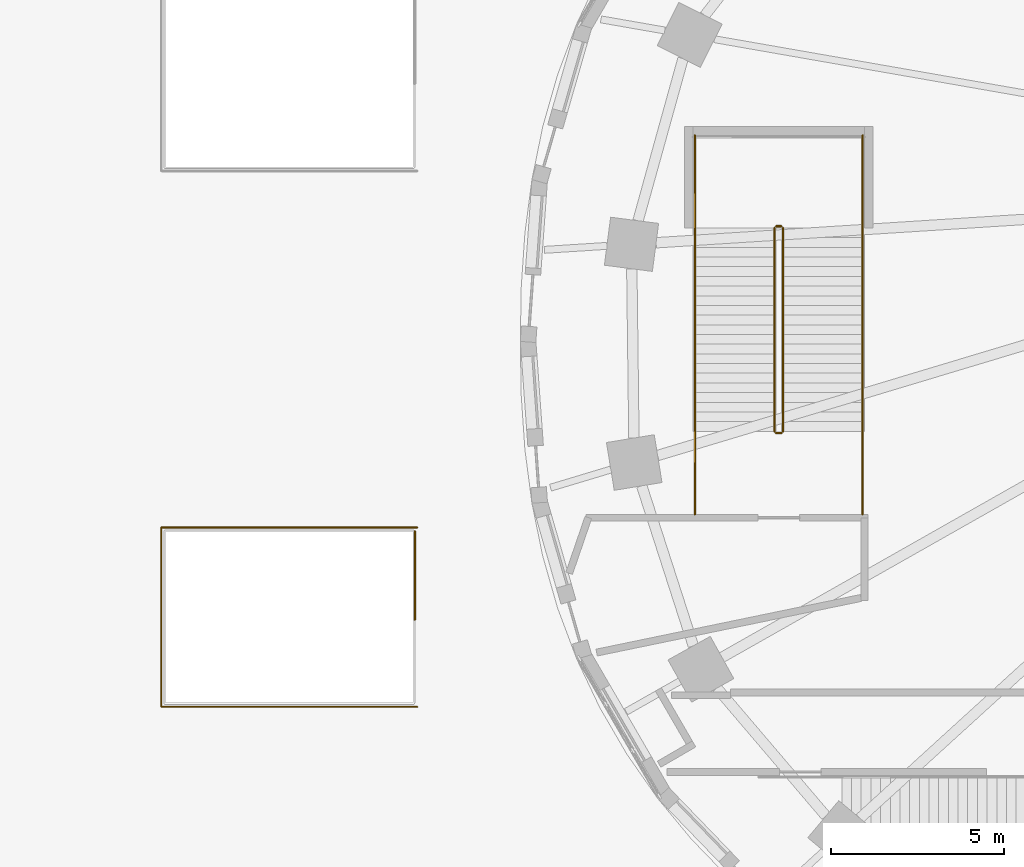
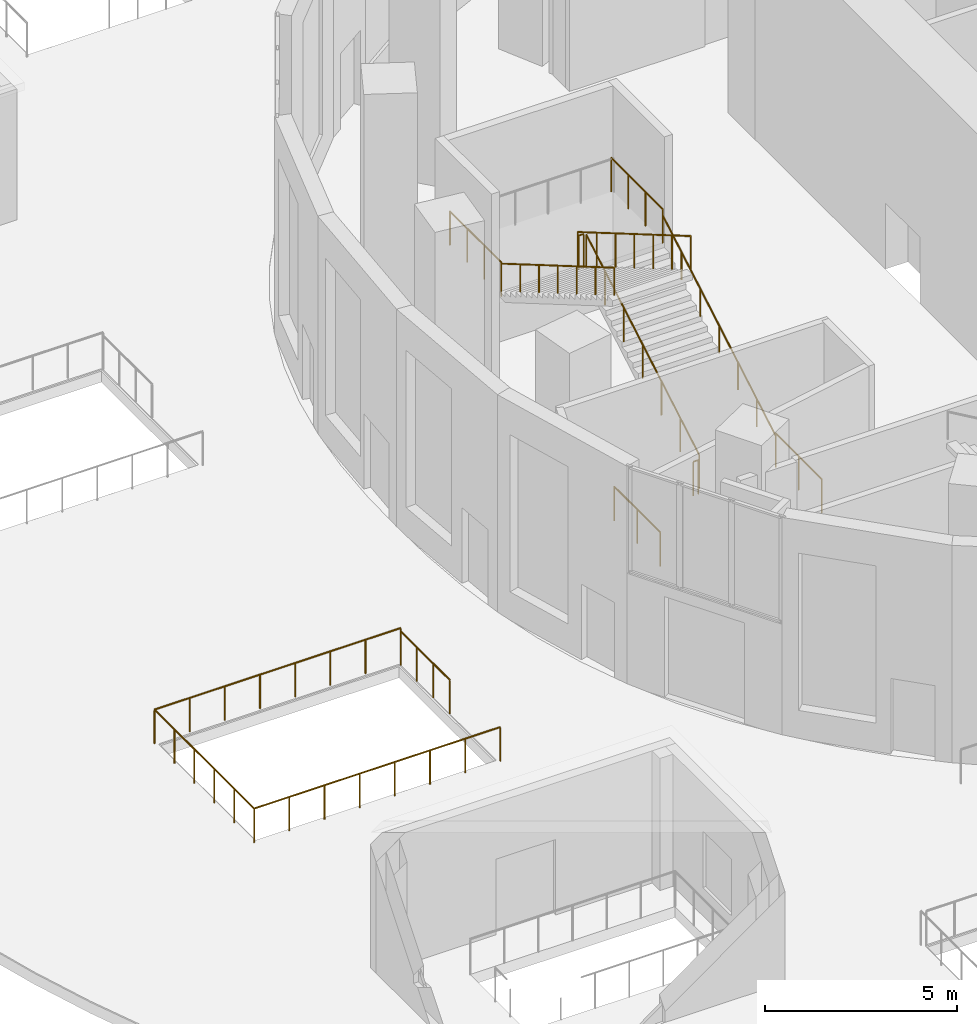
# One storey, part 20 of 27: 12 railings.
"""IFC4 building model written with IfcOpenShell, lengths in metres."""

from ifc_helpers import new_model, si_unit, direction, frame, origin, origin_2d, place, context, subcontext, project, spatial, circle, extrude, material, type_object, element, save


model = new_model("IFC4")

# Units and contexts
model_context = context("Model", 3, precision=1e-05, world=origin(), true_north=direction((0.0, 1.0)))
body_context = subcontext(model_context, "Body", "Model", "MODEL_VIEW")
ifc_project = project(units=[si_unit("LENGTHUNIT", "METRE"), si_unit("AREAUNIT", "SQUARE_METRE"), si_unit("VOLUMEUNIT", "CUBIC_METRE"), si_unit("PLANEANGLEUNIT", "RADIAN"), si_unit("MASSUNIT", "GRAM", prefix="KILO")], contexts=[model_context])

# Site, building, storey
site_placement = place(None, origin())
site = spatial("IfcSite", under=ifc_project, at=site_placement, CompositionType="ELEMENT")
building_placement = place(site_placement, origin())
building = spatial("IfcBuilding", under=site, at=building_placement, Name="Rubra Terraces Tower", CompositionType="ELEMENT")
storey_placement = place(building_placement, origin())
storey = spatial("IfcBuildingStorey", under=building, at=storey_placement, Name="L00", CompositionType="ELEMENT", Elevation=0.0)

# Railings
ifc_material = material(Name="Stainless steel", Category="steel")
railing_type_1 = type_object("IfcRailingType", Name="Public stair guard 1100", PredefinedType="GUARDRAIL", material=ifc_material)
railing_1_placement = place(storey_placement, frame((-22.300048828125, -2.60009765625, 0.16357421875)))
element("IfcRailing", 1, at=railing_1_placement, inside=storey, type_object=railing_type_1, Name="L00 PS1 stair guard 1", PredefinedType="GUARDRAIL", context=body_context, shape_type="SweptSolid", body=[
    extrude(circle(Radius=0.02392578125, at=origin_2d()), frame((0.0, 0.0, 1.076171875), z_axis=(0.0, 0.863366468381, 0.504577388787), x_axis=(-1.0, 0.0, 0.0)), (0.0, 0.0, 1.0), 6.810791015625),
    extrude(circle(Radius=0.02099609375, at=origin_2d()), origin(), (0.0, 0.0, 1.0), 1.052001953125),
    extrude(circle(Radius=0.02099609375, at=origin_2d()), frame((0.0, 0.97998046875, 0.57275390625)), (0.0, 0.0, 1.0), 1.052001953125),
    extrude(circle(Radius=0.02099609375, at=origin_2d()), frame((0.0, 1.9599609375, 1.1455078125)), (0.0, 0.0, 1.0), 1.052001953125),
    extrude(circle(Radius=0.02099609375, at=origin_2d()), frame((0.0, 2.93994140625, 1.71826171875)), (0.0, 0.0, 1.0), 1.052001953125),
    extrude(circle(Radius=0.02099609375, at=origin_2d()), frame((0.0, 3.920166015625, 2.291015625)), (0.0, 0.0, 1.0), 1.052001953125),
    extrude(circle(Radius=0.02099609375, at=origin_2d()), frame((0.0, 4.900146484375, 2.86376953125)), (0.0, 0.0, 1.0), 1.052001953125),
    extrude(circle(Radius=0.02099609375, at=origin_2d()), frame((0.0, 5.880126953125, 3.4365234375)), (0.0, 0.0, 1.0), 1.052001953125),
])
railing_2_placement = place(storey_placement, frame((-22.35009765625, 3.330078125, 3.60009765625)))
element("IfcRailing", 2, at=railing_2_placement, inside=storey, type_object=railing_type_1, Name="L00 PS1 stair guard 2", PredefinedType="GUARDRAIL", context=body_context, shape_type="SweptSolid", body=[
    extrude(circle(Radius=0.02392578125, at=origin_2d()), frame((0.0, 0.0, 1.076171875), z_axis=(-1.0, 0.0, 0.0), x_axis=(0.0, -1.0, 0.0)), (0.0, 0.0, 1.0), 0.14990234375),
    extrude(circle(Radius=0.02099609375, at=origin_2d()), origin(), (0.0, 0.0, 1.0), 1.052001953125),
    extrude(circle(Radius=0.02099609375, at=origin_2d()), frame((-0.14990234375, 0.0, 0.0)), (0.0, 0.0, 1.0), 1.052001953125),
])
for number, where, name in (
    (3, (-20.0, 3.280029296875, 3.60009765625), "L00 PS1 stair guard 3"),
    (4, (-24.85009765625, 3.280029296875, 3.60009765625), "L00 PS1 stair guard 4"),
):
    element("IfcRailing", number, at=place(storey_placement, frame(where)), inside=storey, type_object=railing_type_1, Name=name, PredefinedType="GUARDRAIL", context=body_context, shape_type="SweptSolid", body=[
        extrude(circle(Radius=0.02392578125, at=origin_2d()), frame((0.0, 0.0, 1.076171875), z_axis=(0.0, 1.0, 0.0), x_axis=(-1.0, 0.0, 0.0)), (0.0, 0.0, 1.0), 2.679931640625),
        extrude(circle(Radius=0.02099609375, at=origin_2d()), origin(), (0.0, 0.0, 1.0), 1.052001953125),
        extrude(circle(Radius=0.02099609375, at=origin_2d()), frame((0.0, 0.893310546875, 0.0)), (0.0, 0.0, 1.0), 1.052001953125),
        extrude(circle(Radius=0.02099609375, at=origin_2d()), frame((0.0, 1.78662109375, 0.0)), (0.0, 0.0, 1.0), 1.052001953125),
        extrude(circle(Radius=0.02099609375, at=origin_2d()), frame((0.0, 2.679931640625, 0.0)), (0.0, 0.0, 1.0), 1.052001953125),
    ])
railing_3_placement = place(storey_placement, frame((-22.550048828125, 3.280029296875, 3.763671875)))
element("IfcRailing", 5, at=railing_3_placement, inside=storey, type_object=railing_type_1, Name="L00 PS1 stair guard 6", PredefinedType="GUARDRAIL", context=body_context, shape_type="SweptSolid", body=[
    extrude(circle(Radius=0.02392578125, at=origin_2d()), frame((0.0, 0.0, 1.076171875), z_axis=(0.0, -0.863382084311, 0.504550667913), x_axis=(1.0, 0.0, 0.0)), (0.0, 0.0, 1.0), 6.810546875),
    extrude(circle(Radius=0.02099609375, at=origin_2d()), origin(), (0.0, 0.0, 1.0), 1.052001953125),
    extrude(circle(Radius=0.02099609375, at=origin_2d()), frame((0.0, -0.97998046875, 0.57275390625)), (0.0, 0.0, 1.0), 1.052001953125),
    extrude(circle(Radius=0.02099609375, at=origin_2d()), frame((0.0, -1.9599609375, 1.1455078125)), (0.0, 0.0, 1.0), 1.052001953125),
    extrude(circle(Radius=0.02099609375, at=origin_2d()), frame((0.0, -2.93994140625, 1.71826171875)), (0.0, 0.0, 1.0), 1.052001953125),
    extrude(circle(Radius=0.02099609375, at=origin_2d()), frame((0.0, -3.920166015625, 2.290771484375)), (0.0, 0.0, 1.0), 1.052001953125),
    extrude(circle(Radius=0.02099609375, at=origin_2d()), frame((0.0, -4.900146484375, 2.863525390625)), (0.0, 0.0, 1.0), 1.052001953125),
    extrude(circle(Radius=0.02099609375, at=origin_2d()), frame((0.0, -5.880126953125, 3.436279296875)), (0.0, 0.0, 1.0), 1.052001953125),
])
railing_4_placement = place(storey_placement, frame((-22.35009765625, -2.64990234375, 0.0400390625)))
element("IfcRailing", 6, at=railing_4_placement, inside=storey, type_object=railing_type_1, Name="L00 PS1 stair guard 7", PredefinedType="GUARDRAIL", context=body_context, shape_type="SweptSolid", body=[
    extrude(circle(Radius=0.02392578125, at=origin_2d()), frame((0.0, 0.0, 1.076171875), z_axis=(-1.0, 0.0, 0.0), x_axis=(0.0, -1.0, 0.0)), (0.0, 0.0, 1.0), 0.14990234375),
    extrude(circle(Radius=0.02099609375, at=origin_2d()), origin(), (0.0, 0.0, 1.0), 1.052001953125),
    extrude(circle(Radius=0.02099609375, at=origin_2d()), frame((-0.14990234375, 0.0, 0.0)), (0.0, 0.0, 1.0), 1.052001953125),
])
for number, where, name in (
    (7, (-20.0, -5.0, 0.0400390625), "L00 PS1 stair guard 8"),
    (8, (-24.85009765625, -5.0, 0.0400390625), "L00 PS1 stair guard 9"),
):
    element("IfcRailing", number, at=place(storey_placement, frame(where)), inside=storey, type_object=railing_type_1, Name=name, PredefinedType="GUARDRAIL", context=body_context, shape_type="SweptSolid", body=[
        extrude(circle(Radius=0.02392578125, at=origin_2d()), frame((0.0, 0.0, 1.076171875), z_axis=(0.0, 1.0, 0.0), x_axis=(-1.0, 0.0, 0.0)), (0.0, 0.0, 1.0), 2.39990234375),
        extrude(circle(Radius=0.02099609375, at=origin_2d()), origin(), (0.0, 0.0, 1.0), 1.052001953125),
        extrude(circle(Radius=0.02099609375, at=origin_2d()), frame((0.0, 1.199951171875, 0.0)), (0.0, 0.0, 1.0), 1.052001953125),
        extrude(circle(Radius=0.02099609375, at=origin_2d()), frame((0.0, 2.39990234375, 0.0)), (0.0, 0.0, 1.0), 1.052001953125),
    ])
railing_5_placement = place(storey_placement, frame((-32.949951171875, -5.5, 0.0400390625)))
element("IfcRailing", 9, at=railing_5_placement, inside=storey, type_object=railing_type_1, Name="L00 SE4 top well guard 1", PredefinedType="GUARDRAIL", context=body_context, shape_type="SweptSolid", body=[
    extrude(circle(Radius=0.02392578125, at=origin_2d()), frame((0.0, 0.0, 1.076171875), z_axis=(0.0, -1.0, 0.0), x_axis=(1.0, 0.0, 0.0)), (0.0, 0.0, 1.0), 2.550048828125),
    extrude(circle(Radius=0.02099609375, at=origin_2d()), origin(), (0.0, 0.0, 1.0), 1.052001953125),
    extrude(circle(Radius=0.02099609375, at=origin_2d()), frame((0.0, -0.85009765625, 0.0)), (0.0, 0.0, 1.0), 1.052001953125),
    extrude(circle(Radius=0.02099609375, at=origin_2d()), frame((0.0, -1.699951171875, 0.0)), (0.0, 0.0, 1.0), 1.052001953125),
    extrude(circle(Radius=0.02099609375, at=origin_2d()), frame((0.0, -2.550048828125, 0.0)), (0.0, 0.0, 1.0), 1.052001953125),
])
railing_6_placement = place(storey_placement, frame((-32.8798828125, -5.3798828125, 0.0400390625)))
element("IfcRailing", 10, at=railing_6_placement, inside=storey, type_object=railing_type_1, Name="Guard at stair well", PredefinedType="GUARDRAIL", context=body_context, shape_type="SweptSolid", body=[
    extrude(circle(Radius=0.02392578125, at=origin_2d()), frame((0.0, 0.0, 1.076171875), z_axis=(-1.0, 0.0, 0.0), x_axis=(0.0, -1.0, 0.0)), (0.0, 0.0, 1.0), 7.400146484375),
    extrude(circle(Radius=0.02392578125, at=origin_2d()), frame((-7.400146484375, 0.0, 1.076171875), z_axis=(0.0, -1.0, 0.0), x_axis=(1.0, 0.0, 0.0)), (0.0, 0.0, 1.0), 5.190185546875),
    extrude(circle(Radius=0.02392578125, at=origin_2d()), frame((-7.400146484375, -5.190185546875, 1.076171875), z_axis=(1.0, 0.0, 0.0), x_axis=(0.0, 1.0, 0.0)), (0.0, 0.0, 1.0), 7.400146484375),
    extrude(circle(Radius=0.02099609375, at=origin_2d()), origin(), (0.0, 0.0, 1.0), 1.052001953125),
    extrude(circle(Radius=0.02099609375, at=origin_2d()), frame((-1.05712890625, 0.0, 0.0)), (0.0, 0.0, 1.0), 1.052001953125),
    extrude(circle(Radius=0.02099609375, at=origin_2d()), frame((-2.1142578125, 0.0, 0.0)), (0.0, 0.0, 1.0), 1.052001953125),
    extrude(circle(Radius=0.02099609375, at=origin_2d()), frame((-3.17138671875, 0.0, 0.0)), (0.0, 0.0, 1.0), 1.052001953125),
    extrude(circle(Radius=0.02099609375, at=origin_2d()), frame((-4.228759765625, 0.0, 0.0)), (0.0, 0.0, 1.0), 1.052001953125),
    extrude(circle(Radius=0.02099609375, at=origin_2d()), frame((-5.285888671875, 0.0, 0.0)), (0.0, 0.0, 1.0), 1.052001953125),
    extrude(circle(Radius=0.02099609375, at=origin_2d()), frame((-6.343017578125, 0.0, 0.0)), (0.0, 0.0, 1.0), 1.052001953125),
    extrude(circle(Radius=0.02099609375, at=origin_2d()), frame((-7.400146484375, 0.0, 0.0)), (0.0, 0.0, 1.0), 1.052001953125),
    extrude(circle(Radius=0.02099609375, at=origin_2d()), frame((-7.400146484375, -1.0380859375, 0.0)), (0.0, 0.0, 1.0), 1.052001953125),
    extrude(circle(Radius=0.02099609375, at=origin_2d()), frame((-7.400146484375, -2.076171875, 0.0)), (0.0, 0.0, 1.0), 1.052001953125),
    extrude(circle(Radius=0.02099609375, at=origin_2d()), frame((-7.400146484375, -3.114013671875, 0.0)), (0.0, 0.0, 1.0), 1.052001953125),
    extrude(circle(Radius=0.02099609375, at=origin_2d()), frame((-7.400146484375, -4.152099609375, 0.0)), (0.0, 0.0, 1.0), 1.052001953125),
    extrude(circle(Radius=0.02099609375, at=origin_2d()), frame((-7.400146484375, -5.190185546875, 0.0)), (0.0, 0.0, 1.0), 1.052001953125),
    extrude(circle(Radius=0.02099609375, at=origin_2d()), frame((-6.343017578125, -5.190185546875, 0.0)), (0.0, 0.0, 1.0), 1.052001953125),
    extrude(circle(Radius=0.02099609375, at=origin_2d()), frame((-5.285888671875, -5.190185546875, 0.0)), (0.0, 0.0, 1.0), 1.052001953125),
    extrude(circle(Radius=0.02099609375, at=origin_2d()), frame((-4.228759765625, -5.190185546875, 0.0)), (0.0, 0.0, 1.0), 1.052001953125),
    extrude(circle(Radius=0.02099609375, at=origin_2d()), frame((-3.17138671875, -5.190185546875, 0.0)), (0.0, 0.0, 1.0), 1.052001953125),
    extrude(circle(Radius=0.02099609375, at=origin_2d()), frame((-2.1142578125, -5.190185546875, 0.0)), (0.0, 0.0, 1.0), 1.052001953125),
    extrude(circle(Radius=0.02099609375, at=origin_2d()), frame((-1.05712890625, -5.190185546875, 0.0)), (0.0, 0.0, 1.0), 1.052001953125),
    extrude(circle(Radius=0.02099609375, at=origin_2d()), frame((0.0, -5.190185546875, 0.0)), (0.0, 0.0, 1.0), 1.052001953125),
])
railing_type_2 = type_object("IfcRailingType", Name="Public stair handrail 900", PredefinedType="HANDRAIL", material=ifc_material)
railing_7_placement = place(storey_placement, frame((-20.0, -2.60009765625, 0.16357421875)))
element("IfcRailing", 11, at=railing_7_placement, inside=storey, type_object=railing_type_2, Name="L00 PS1 stair handrail 1", PredefinedType="HANDRAIL", context=body_context, shape_type="SweptSolid", body=[
    extrude(circle(Radius=0.02392578125, at=origin_2d()), frame((0.0, 0.0, 0.8759765625), z_axis=(0.0, 0.863366468381, 0.504577388787), x_axis=(-1.0, 0.0, 0.0)), (0.0, 0.0, 1.0), 6.810791015625),
    extrude(circle(Radius=0.02099609375, at=origin_2d()), origin(), (0.0, 0.0, 1.0), 0.851806640625),
    extrude(circle(Radius=0.02099609375, at=origin_2d()), frame((0.0, 0.97998046875, 0.57275390625)), (0.0, 0.0, 1.0), 0.851806640625),
    extrude(circle(Radius=0.02099609375, at=origin_2d()), frame((0.0, 1.9599609375, 1.1455078125)), (0.0, 0.0, 1.0), 0.851806640625),
    extrude(circle(Radius=0.02099609375, at=origin_2d()), frame((0.0, 2.93994140625, 1.71826171875)), (0.0, 0.0, 1.0), 0.851806640625),
    extrude(circle(Radius=0.02099609375, at=origin_2d()), frame((0.0, 3.920166015625, 2.291015625)), (0.0, 0.0, 1.0), 0.851806640625),
    extrude(circle(Radius=0.02099609375, at=origin_2d()), frame((0.0, 4.900146484375, 2.86376953125)), (0.0, 0.0, 1.0), 0.851806640625),
    extrude(circle(Radius=0.02099609375, at=origin_2d()), frame((0.0, 5.880126953125, 3.4365234375)), (0.0, 0.0, 1.0), 0.851806640625),
])
railing_8_placement = place(storey_placement, frame((-24.85009765625, 3.280029296875, 3.763671875)))
element("IfcRailing", 12, at=railing_8_placement, inside=storey, type_object=railing_type_2, Name="L00 PS1 stair handrail 2", PredefinedType="HANDRAIL", context=body_context, shape_type="SweptSolid", body=[
    extrude(circle(Radius=0.02392578125, at=origin_2d()), frame((0.0, 0.0, 0.8759765625), z_axis=(0.0, -0.863382084311, 0.504550667913), x_axis=(1.0, 0.0, 0.0)), (0.0, 0.0, 1.0), 6.810546875),
    extrude(circle(Radius=0.02099609375, at=origin_2d()), origin(), (0.0, 0.0, 1.0), 0.851806640625),
    extrude(circle(Radius=0.02099609375, at=origin_2d()), frame((0.0, -0.97998046875, 0.57275390625)), (0.0, 0.0, 1.0), 0.851806640625),
    extrude(circle(Radius=0.02099609375, at=origin_2d()), frame((0.0, -1.9599609375, 1.1455078125)), (0.0, 0.0, 1.0), 0.851806640625),
    extrude(circle(Radius=0.02099609375, at=origin_2d()), frame((0.0, -2.93994140625, 1.71826171875)), (0.0, 0.0, 1.0), 0.851806640625),
    extrude(circle(Radius=0.02099609375, at=origin_2d()), frame((0.0, -3.920166015625, 2.290771484375)), (0.0, 0.0, 1.0), 0.851806640625),
    extrude(circle(Radius=0.02099609375, at=origin_2d()), frame((0.0, -4.900146484375, 2.863525390625)), (0.0, 0.0, 1.0), 0.851806640625),
    extrude(circle(Radius=0.02099609375, at=origin_2d()), frame((0.0, -5.880126953125, 3.436279296875)), (0.0, 0.0, 1.0), 0.851806640625),
])

save(model, "model.ifc")
